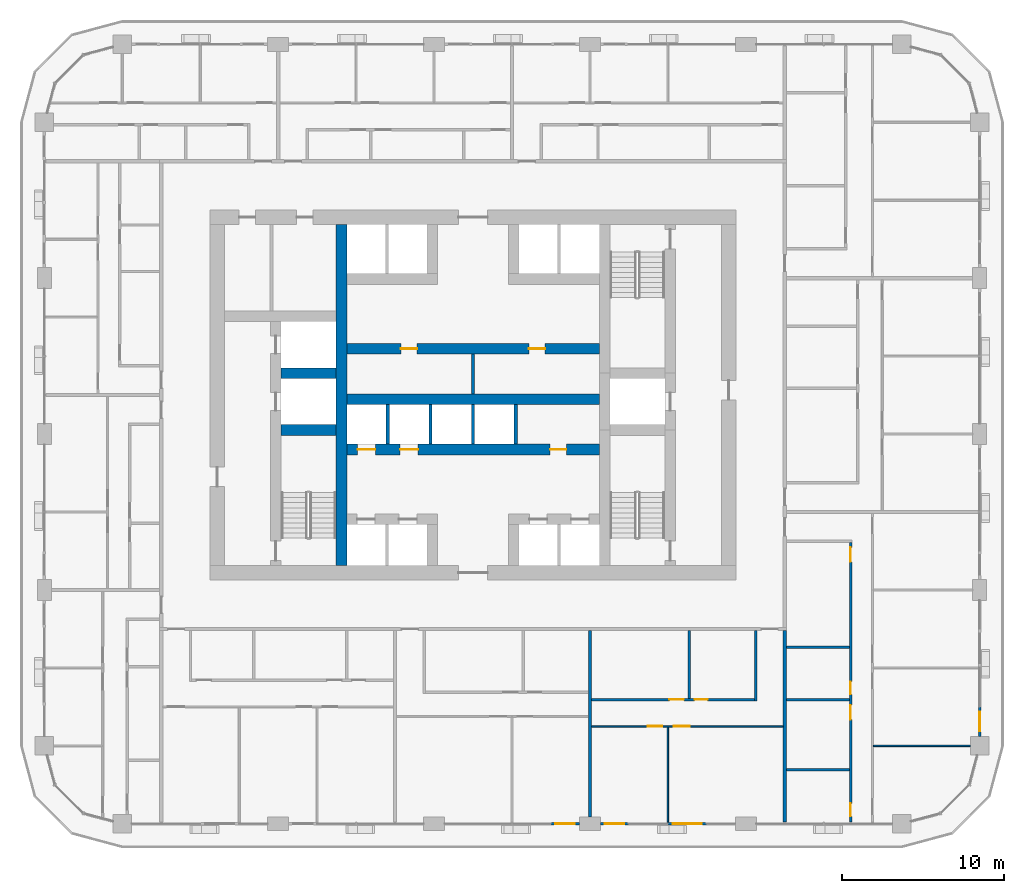
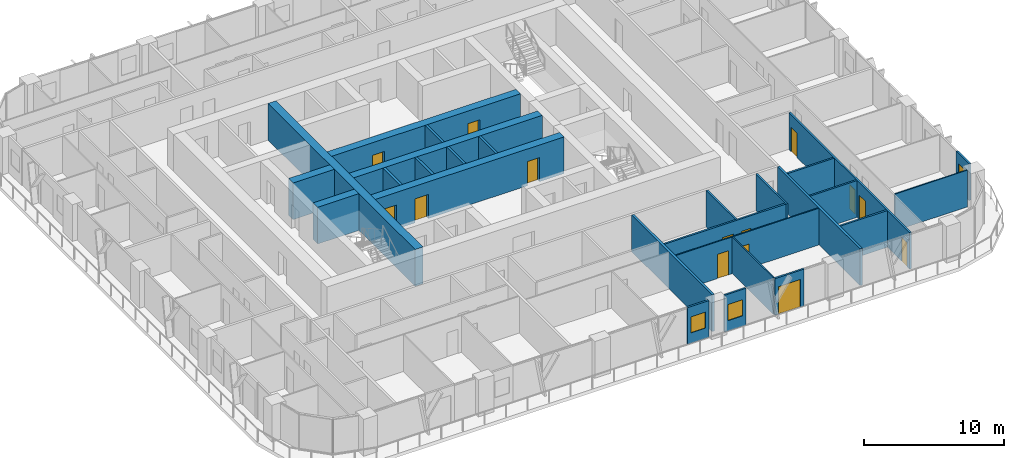
# One storey, part 11 of 22: 27 walls, 14 doors, 3 windows, 17 openings.
"""IFC4 building model written with IfcOpenShell, lengths in metres."""

from ifc_helpers import new_model, si_unit, direction, frame, frame_2d, origin, place, context, subcontext, project, spatial, rectangle, extrude, material, layer, layer_set, type_object, element, fill, save


model = new_model("IFC4")

# Units and contexts
model_context = context("Model", 3, precision=1e-05, world=origin(), true_north=direction((0.0, 1.0)))
body_context = subcontext(model_context, "Body", "Model", "MODEL_VIEW")
ifc_project = project(units=[si_unit("LENGTHUNIT", "METRE"), si_unit("AREAUNIT", "SQUARE_METRE"), si_unit("VOLUMEUNIT", "CUBIC_METRE"), si_unit("PLANEANGLEUNIT", "RADIAN"), si_unit("MASSUNIT", "GRAM", prefix="KILO")], contexts=[model_context])

# Site, building, storey
site_placement = place(None, origin())
site = spatial("IfcSite", under=ifc_project, at=site_placement, CompositionType="ELEMENT")
building_placement = place(site_placement, origin())
building = spatial("IfcBuilding", under=site, at=building_placement, Name="Madar Terraces", CompositionType="ELEMENT")
storey_placement = place(building_placement, frame((0.0, 0.0, 73.300048828125)))
storey = spatial("IfcBuildingStorey", under=building, at=storey_placement, Name="L18", CompositionType="ELEMENT", Elevation=73.300048828125)

# Walls
ifc_material_1 = material(Name="Concrete C80/95", Category="concrete")
ifc_layer_1 = layer(ifc_material_1, 0.64990234375)
ifc_layer_set_1 = layer_set([ifc_layer_1], Name="Concrete C80/95 (CIW2 RC wall 650)")
wall_type_1 = type_object("IfcWallType", Name="CIW2 RC wall 650", PredefinedType="SHEAR", material=ifc_layer_set_1)
wall_1_placement = place(storey_placement, frame((23.10009765625, 15.89990234375, 0.0), z_axis=(0.0, 0.0, 1.0), x_axis=(0.0, 1.0, 0.0)))
element("IfcWall", 1, at=wall_1_placement, inside=storey, type_object=wall_type_1, Name="CORE SHAFT WALL", PredefinedType="SHEAR", context=body_context, shape_type="SweptSolid", body=[
    extrude(rectangle(XDim=21.0, YDim=0.64990234375, at=frame_2d((10.5, 0.0))), origin(), (0.0, 0.0, 1.0), 3.199951171875),
])
for number, where, z_axis, x_axis, name in (
    (2, (19.375, 24.25, 0.0), (0.0, 0.0, 1.0), (1.0, 0.0, 0.0), "CORE SHAFT WALL"),
    (3, (19.375, 27.75, 0.0), (0.0, 0.0, 1.0), (1.0, 0.0, 0.0), "CORE SHAFT WALL"),
):
    element("IfcWall", number, at=place(storey_placement, frame(where, z_axis=z_axis, x_axis=x_axis)), inside=storey, type_object=wall_type_1, Name=name, PredefinedType="SHEAR", context=body_context, shape_type="SweptSolid", body=[
        extrude(rectangle(XDim=3.39990234375, YDim=0.64990234375, at=frame_2d((1.699951171875, 0.0))), origin(), (0.0, 0.0, 1.0), 3.199951171875),
    ])

# Wall, openings, doors
wall_2_placement = place(storey_placement, frame((23.425048828125, 23.050048828125, 0.0), z_axis=(0.0, 0.0, 1.0), x_axis=(1.0, 0.0, 0.0)))
wall_2 = element("IfcWall", 4, at=wall_2_placement, inside=storey, type_object=wall_type_1, Name="CORE SHAFT WALL", PredefinedType="SHEAR", context=body_context, shape_type="SweptSolid", body=[
    extrude(rectangle(XDim=15.550048828125, YDim=0.64990234375, at=frame_2d((7.77490234375, 0.0))), origin(), (0.0, 0.0, 1.0), 3.199951171875),
])
opening_1_placement = place(wall_2_placement, frame((0.66259765625, 0.0, 0.0)))
opening_1 = element("IfcOpeningElement", 5, at=opening_1_placement, cuts=wall_2, Name="Opening LD", PredefinedType="OPENING", context=body_context, shape_type="SweptSolid", body=[
    extrude(rectangle(XDim=1.10009765625, YDim=2.10009765625, at=frame_2d((0.550048828125, 1.050048828125))), frame((0.0, 0.3349609375, 0.0), z_axis=(0.0, -1.0, 0.0), x_axis=(1.0, 0.0, 0.0)), (0.0, 0.0, 1.0), 0.669921875),
])
opening_2_placement = place(wall_2_placement, frame((3.28759765625, 0.0, 0.0)))
opening_2 = element("IfcOpeningElement", 6, at=opening_2_placement, cuts=wall_2, Name="Opening LD", PredefinedType="OPENING", context=body_context, shape_type="SweptSolid", body=[
    extrude(rectangle(XDim=1.10009765625, YDim=2.10009765625, at=frame_2d((0.550048828125, 1.050048828125))), frame((0.0, 0.3349609375, 0.0), z_axis=(0.0, -1.0, 0.0), x_axis=(1.0, 0.0, 0.0)), (0.0, 0.0, 1.0), 0.669921875),
])
opening_3_placement = place(wall_2_placement, frame((12.52490234375, 0.0, 0.0)))
opening_3 = element("IfcOpeningElement", 7, at=opening_3_placement, cuts=wall_2, Name="Opening KD2", PredefinedType="OPENING", context=body_context, shape_type="SweptSolid", body=[
    extrude(rectangle(XDim=1.0, YDim=2.10009765625, at=frame_2d((0.5, 1.050048828125))), frame((0.0, 0.3349609375, 0.0), z_axis=(0.0, -1.0, 0.0), x_axis=(1.0, 0.0, 0.0)), (0.0, 0.0, 1.0), 0.669921875),
])
ifc_material_2 = material(Name="Stainless steel panel", Category="steel")
door_type_1 = type_object("IfcDoorType", Name="Lift landing door 1100 x 2100", OperationType="DOUBLE_DOOR_SLIDING", PredefinedType="DOOR", material=ifc_material_2)
door_1_placement = place(opening_1_placement, origin())
door_1 = element("IfcDoor", 8, at=door_1_placement, inside=storey, type_object=door_type_1, Name="LIFT LANDING DOOR", OperationType="DOUBLE_DOOR_SLIDING", OverallHeight=2.10009765625, OverallWidth=1.10009765625, PredefinedType="DOOR", context=body_context, shape_type="SweptSolid", body=[
    extrude(rectangle(XDim=1.10009765625, YDim=2.10009765625, at=frame_2d((0.550048828125, 1.050048828125))), frame((0.0, 0.02490234375, 0.0), z_axis=(0.0, -1.0, 0.0), x_axis=(1.0, 0.0, 0.0)), (0.0, 0.0, 1.0), 0.050048828125),
])
fill(opening_1, door_1)
door_2_placement = place(opening_2_placement, origin())
door_2 = element("IfcDoor", 9, at=door_2_placement, inside=storey, type_object=door_type_1, Name="LIFT LANDING DOOR", OperationType="DOUBLE_DOOR_SLIDING", OverallHeight=2.10009765625, OverallWidth=1.10009765625, PredefinedType="DOOR", context=body_context, shape_type="SweptSolid", body=[
    extrude(rectangle(XDim=1.10009765625, YDim=2.10009765625, at=frame_2d((0.550048828125, 1.050048828125))), frame((0.0, 0.02490234375, 0.0), z_axis=(0.0, -1.0, 0.0), x_axis=(1.0, 0.0, 0.0)), (0.0, 0.0, 1.0), 0.050048828125),
])
fill(opening_2, door_2)
ifc_material_3 = material(Name="Steel door leaf", Category="steel")
door_type_2 = type_object("IfcDoorType", Name="Service room door 1000 x 2100", OperationType="NOTDEFINED", PredefinedType="DOOR", material=ifc_material_3)
door_3_placement = place(opening_3_placement, frame((1.0, 0.0, 0.0), z_axis=(0.0, 0.0, 1.0), x_axis=(-1.0, 0.0, 0.0)))
door_3 = element("IfcDoor", 10, at=door_3_placement, inside=storey, type_object=door_type_2, Name="SERVICE ROOM DOOR", OperationType="SINGLE_SWING_LEFT", OverallHeight=2.10009765625, OverallWidth=1.0, PredefinedType="DOOR", context=body_context, shape_type="SweptSolid", body=[
    extrude(rectangle(XDim=1.0, YDim=2.10009765625, at=frame_2d((0.5, 1.050048828125))), frame((0.0, 0.02490234375, 0.0), z_axis=(0.0, -1.0, 0.0), x_axis=(1.0, 0.0, 0.0)), (0.0, 0.0, 1.0), 0.050048828125),
])
fill(opening_3, door_3)

# Wall
wall_3_placement = place(storey_placement, frame((23.425048828125, 26.14990234375, 0.0), z_axis=(0.0, 0.0, 1.0), x_axis=(1.0, 0.0, 0.0)))
element("IfcWall", 11, at=wall_3_placement, inside=storey, type_object=wall_type_1, Name="CORE SHAFT WALL", PredefinedType="SHEAR", context=body_context, shape_type="SweptSolid", body=[
    extrude(rectangle(XDim=15.550048828125, YDim=0.64990234375, at=frame_2d((7.77490234375, 0.0))), origin(), (0.0, 0.0, 1.0), 3.199951171875),
])

# Wall, openings, doors
wall_4_placement = place(storey_placement, frame((23.425048828125, 29.25, 0.0), z_axis=(0.0, 0.0, 1.0), x_axis=(1.0, 0.0, 0.0)))
wall_4 = element("IfcWall", 12, at=wall_4_placement, inside=storey, type_object=wall_type_1, Name="CORE SHAFT WALL", PredefinedType="SHEAR", context=body_context, shape_type="SweptSolid", body=[
    extrude(rectangle(XDim=15.550048828125, YDim=0.64990234375, at=frame_2d((7.77490234375, 0.0))), origin(), (0.0, 0.0, 1.0), 3.199951171875),
])
opening_4_placement = place(wall_4_placement, frame((3.33740234375, 0.0, 0.0)))
opening_4 = element("IfcOpeningElement", 13, at=opening_4_placement, cuts=wall_4, Name="Opening KD2", PredefinedType="OPENING", context=body_context, shape_type="SweptSolid", body=[
    extrude(rectangle(XDim=1.0, YDim=2.10009765625, at=frame_2d((0.5, 1.050048828125))), frame((0.0, 0.3349609375, 0.0), z_axis=(0.0, -1.0, 0.0), x_axis=(1.0, 0.0, 0.0)), (0.0, 0.0, 1.0), 0.669921875),
])
opening_5_placement = place(wall_4_placement, frame((11.21240234375, 0.0, 0.0)))
opening_5 = element("IfcOpeningElement", 14, at=opening_5_placement, cuts=wall_4, Name="Opening KD2", PredefinedType="OPENING", context=body_context, shape_type="SweptSolid", body=[
    extrude(rectangle(XDim=1.0, YDim=2.10009765625, at=frame_2d((0.5, 1.050048828125))), frame((0.0, 0.3349609375, 0.0), z_axis=(0.0, -1.0, 0.0), x_axis=(1.0, 0.0, 0.0)), (0.0, 0.0, 1.0), 0.669921875),
])
door_4_placement = place(opening_4_placement, origin())
door_4 = element("IfcDoor", 15, at=door_4_placement, inside=storey, type_object=door_type_2, Name="SERVICE ROOM DOOR", OperationType="SINGLE_SWING_RIGHT", OverallHeight=2.10009765625, OverallWidth=1.0, PredefinedType="DOOR", context=body_context, shape_type="SweptSolid", body=[
    extrude(rectangle(XDim=1.0, YDim=2.10009765625, at=frame_2d((0.5, 1.050048828125))), frame((0.0, 0.02490234375, 0.0), z_axis=(0.0, -1.0, 0.0), x_axis=(1.0, 0.0, 0.0)), (0.0, 0.0, 1.0), 0.050048828125),
])
fill(opening_4, door_4)
door_5_placement = place(opening_5_placement, origin())
door_5 = element("IfcDoor", 16, at=door_5_placement, inside=storey, type_object=door_type_2, Name="SERVICE ROOM DOOR", OperationType="SINGLE_SWING_LEFT", OverallHeight=2.10009765625, OverallWidth=1.0, PredefinedType="DOOR", context=body_context, shape_type="SweptSolid", body=[
    extrude(rectangle(XDim=1.0, YDim=2.10009765625, at=frame_2d((0.5, 1.050048828125))), frame((0.0, 0.02490234375, 0.0), z_axis=(0.0, -1.0, 0.0), x_axis=(1.0, 0.0, 0.0)), (0.0, 0.0, 1.0), 0.050048828125),
])
fill(opening_5, door_5)

# Walls
ifc_material_4 = material(Name="Masonry blockwork", Category="masonry")
ifc_layer_2 = layer(ifc_material_4, 0.199951171875)
ifc_layer_set_2 = layer_set([ifc_layer_2], Name="Core partition 200 blockwork")
wall_type_2 = type_object("IfcWallType", Name="Core partition 200 blockwork", PredefinedType="PARTITIONING", material=ifc_layer_set_2)
wall_5_placement = place(storey_placement, frame((31.199951171875, 26.47509765625, 0.0), z_axis=(0.0, 0.0, 1.0), x_axis=(0.0, 1.0, 0.0)))
element("IfcWall", 17, at=wall_5_placement, inside=storey, type_object=wall_type_2, Name="SERVICE ROOM PARTITION", PredefinedType="PARTITIONING", context=body_context, shape_type="SweptSolid", body=[
    extrude(rectangle(XDim=2.449951171875, YDim=0.199951171875, at=frame_2d((1.22509765625, 0.0))), origin(), (0.0, 0.0, 1.0), 3.199951171875),
])
ifc_material_5 = material(Name="Concrete C40/50", Category="concrete")
ifc_layer_3 = layer(ifc_material_5, 0.199951171875)
ifc_layer_set_3 = layer_set([ifc_layer_3], Name="Core shaft dividing wall 200 C40/50")
wall_type_3 = type_object("IfcWallType", Name="Core shaft dividing wall 200 C40/50", PredefinedType="SOLIDWALL", material=ifc_layer_set_3)
for number, where, z_axis, x_axis, name in (
    (18, (25.949951171875, 23.375, 0.0), (0.0, 0.0, 1.0), (0.0, 1.0, 0.0), "SHAFT DIVIDING WALL"),
    (19, (28.574951171875, 23.375, 0.0), (0.0, 0.0, 1.0), (0.0, 1.0, 0.0), "SHAFT DIVIDING WALL"),
    (20, (31.199951171875, 23.375, 0.0), (0.0, 0.0, 1.0), (0.0, 1.0, 0.0), "SHAFT DIVIDING WALL"),
    (21, (33.824951171875, 23.375, 0.0), (0.0, 0.0, 1.0), (0.0, 1.0, 0.0), "SHAFT DIVIDING WALL"),
):
    element("IfcWall", number, at=place(storey_placement, frame(where, z_axis=z_axis, x_axis=x_axis)), inside=storey, type_object=wall_type_3, Name=name, PredefinedType="SOLIDWALL", context=body_context, shape_type="SweptSolid", body=[
        extrude(rectangle(XDim=2.449951171875, YDim=0.199951171875, at=frame_2d((1.22509765625, 0.0))), origin(), (0.0, 0.0, 1.0), 3.199951171875),
    ])

# Wall, opening, window
ifc_material_6 = material(Name="Aluminium composite panel, black, over insulated backing", Category="aluminium")
ifc_layer_4 = layer(ifc_material_6, 0.14990234375)
ifc_layer_set_4 = layer_set([ifc_layer_4], Name="Facade bay panel 150")
wall_type_4 = type_object("IfcWallType", Name="Facade bay panel 150", PredefinedType="SOLIDWALL", material=ifc_layer_set_4)
wall_6_placement = place(storey_placement, frame((36.0, 0.0, 0.0), z_axis=(0.0, 0.0, 1.0), x_axis=(1.0, 0.0, 0.0)))
wall_6 = element("IfcWall", 22, at=wall_6_placement, inside=storey, type_object=wall_type_4, Name="Facade bay panel", PredefinedType="SOLIDWALL", context=body_context, shape_type="SweptSolid", body=[
    extrude(rectangle(XDim=1.75, YDim=0.14990234375, at=frame_2d((0.875, 0.0))), origin(), (0.0, 0.0, 1.0), 3.199951171875),
])
opening_6_placement = place(wall_6_placement, frame((0.27490234375, 0.0, 0.89990234375)))
opening_6 = element("IfcOpeningElement", 23, at=opening_6_placement, cuts=wall_6, Name="Opening W1", PredefinedType="OPENING", context=body_context, shape_type="SweptSolid", body=[
    extrude(rectangle(XDim=1.199951171875, YDim=1.39990234375, at=frame_2d((0.60009765625, 0.699951171875))), frame((0.0, 0.0849609375, 0.0), z_axis=(0.0, -1.0, 0.0), x_axis=(1.0, 0.0, 0.0)), (0.0, 0.0, 1.0), 0.169921875),
])
ifc_material_7 = material(Name="Glass, clear, with black aluminium frame", Category="aluminium")
window_type = type_object("IfcWindowType", Name="Vent window 1200 x 1400", PartitioningType="SINGLE_PANEL", PredefinedType="WINDOW", material=ifc_material_7)
window_1_placement = place(opening_6_placement, origin())
window_1 = element("IfcWindow", 24, at=window_1_placement, inside=storey, type_object=window_type, Name="Operable vent window", OverallHeight=1.39990234375, OverallWidth=1.199951171875, PartitioningType="SINGLE_PANEL", PredefinedType="WINDOW", context=body_context, shape_type="SweptSolid", body=[
    extrude(rectangle(XDim=1.199951171875, YDim=1.39990234375, at=frame_2d((0.60009765625, 0.699951171875))), frame((0.0, 0.030029296875, 0.0), z_axis=(0.0, -1.0, 0.0), x_axis=(1.0, 0.0, 0.0)), (0.0, 0.0, 1.0), 0.06005859375),
])
fill(opening_6, window_1)

wall_7_placement = place(storey_placement, frame((39.050048828125, 0.0, 0.0), z_axis=(0.0, 0.0, 1.0), x_axis=(1.0, 0.0, 0.0)))
wall_7 = element("IfcWall", 25, at=wall_7_placement, inside=storey, type_object=wall_type_4, Name="Facade bay panel", PredefinedType="SOLIDWALL", context=body_context, shape_type="SweptSolid", body=[
    extrude(rectangle(XDim=1.75, YDim=0.14990234375, at=frame_2d((0.875, 0.0))), origin(), (0.0, 0.0, 1.0), 3.199951171875),
])
opening_7_placement = place(wall_7_placement, frame((0.27490234375, 0.0, 0.89990234375)))
opening_7 = element("IfcOpeningElement", 26, at=opening_7_placement, cuts=wall_7, Name="Opening W1", PredefinedType="OPENING", context=body_context, shape_type="SweptSolid", body=[
    extrude(rectangle(XDim=1.199951171875, YDim=1.39990234375, at=frame_2d((0.60009765625, 0.699951171875))), frame((0.0, 0.0849609375, 0.0), z_axis=(0.0, -1.0, 0.0), x_axis=(1.0, 0.0, 0.0)), (0.0, 0.0, 1.0), 0.169921875),
])
window_2_placement = place(opening_7_placement, origin())
window_2 = element("IfcWindow", 27, at=window_2_placement, inside=storey, type_object=window_type, Name="Operable vent window", OverallHeight=1.39990234375, OverallWidth=1.199951171875, PartitioningType="SINGLE_PANEL", PredefinedType="WINDOW", context=body_context, shape_type="SweptSolid", body=[
    extrude(rectangle(XDim=1.199951171875, YDim=1.39990234375, at=frame_2d((0.60009765625, 0.699951171875))), frame((0.0, 0.030029296875, 0.0), z_axis=(0.0, -1.0, 0.0), x_axis=(1.0, 0.0, 0.0)), (0.0, 0.0, 1.0), 0.06005859375),
])
fill(opening_7, window_2)

# Wall, opening, door
wall_8_placement = place(storey_placement, frame((43.199951171875, 0.0, 0.0), z_axis=(0.0, 0.0, 1.0), x_axis=(1.0, 0.0, 0.0)))
wall_8 = element("IfcWall", 28, at=wall_8_placement, inside=storey, type_object=wall_type_4, Name="Facade bay panel", PredefinedType="SOLIDWALL", context=body_context, shape_type="SweptSolid", body=[
    extrude(rectangle(XDim=2.400146484375, YDim=0.14990234375, at=frame_2d((1.2001953125, 0.0))), origin(), (0.0, 0.0, 1.0), 3.199951171875),
])
opening_8_placement = place(wall_8_placement, frame((0.300048828125, 0.0, 0.0)))
opening_8 = element("IfcOpeningElement", 29, at=opening_8_placement, cuts=wall_8, Name="Opening ED1", PredefinedType="OPENING", context=body_context, shape_type="SweptSolid", body=[
    extrude(rectangle(XDim=1.800048828125, YDim=2.39990234375, at=frame_2d((0.89990234375, 1.199951171875))), frame((0.0, 0.0849609375, 0.0), z_axis=(0.0, -1.0, 0.0), x_axis=(1.0, 0.0, 0.0)), (0.0, 0.0, 1.0), 0.169921875),
])
ifc_material_8 = material(Name="Glass, clear, with black aluminium frame", Category="aluminium")
door_type_3 = type_object("IfcDoorType", Name="Balcony and terrace sliding door 1800 x 2400", OperationType="SLIDING_TO_LEFT", PredefinedType="DOOR", material=ifc_material_8)
door_6_placement = place(opening_8_placement, origin())
door_6 = element("IfcDoor", 30, at=door_6_placement, inside=storey, type_object=door_type_3, Name="Balcony door", OperationType="SLIDING_TO_RIGHT", OverallHeight=2.39990234375, OverallWidth=1.800048828125, PredefinedType="DOOR", context=body_context, shape_type="SweptSolid", body=[
    extrude(rectangle(XDim=1.800048828125, YDim=2.39990234375, at=frame_2d((0.89990234375, 1.199951171875))), frame((0.0, 0.02490234375, 0.0), z_axis=(0.0, -1.0, 0.0), x_axis=(1.0, 0.0, 0.0)), (0.0, 0.0, 1.0), 0.050048828125),
])
fill(opening_8, door_6)

# Wall, opening, window
wall_9_placement = place(storey_placement, frame((62.39990234375, 5.375, 0.0), z_axis=(0.0, 0.0, 1.0), x_axis=(0.0, 1.0, 0.0)))
wall_9 = element("IfcWall", 31, at=wall_9_placement, inside=storey, type_object=wall_type_4, Name="Facade bay panel", PredefinedType="SOLIDWALL", context=body_context, shape_type="SweptSolid", body=[
    extrude(rectangle(XDim=1.824951171875, YDim=0.14990234375, at=frame_2d((0.91259765625, 0.0))), origin(), (0.0, 0.0, 1.0), 3.199951171875),
])
opening_9_placement = place(wall_9_placement, frame((0.3125, 0.0, 0.89990234375)))
opening_9 = element("IfcOpeningElement", 32, at=opening_9_placement, cuts=wall_9, Name="Opening W1", PredefinedType="OPENING", context=body_context, shape_type="SweptSolid", body=[
    extrude(rectangle(XDim=1.199951171875, YDim=1.39990234375, at=frame_2d((0.60009765625, 0.699951171875))), frame((0.0, 0.0849609375, 0.0), z_axis=(0.0, -1.0, 0.0), x_axis=(1.0, 0.0, 0.0)), (0.0, 0.0, 1.0), 0.169921875),
])
window_3_placement = place(opening_9_placement, origin())
window_3 = element("IfcWindow", 33, at=window_3_placement, inside=storey, type_object=window_type, Name="Operable vent window", OverallHeight=1.39990234375, OverallWidth=1.199951171875, PartitioningType="SINGLE_PANEL", PredefinedType="WINDOW", context=body_context, shape_type="SweptSolid", body=[
    extrude(rectangle(XDim=1.199951171875, YDim=1.39990234375, at=frame_2d((0.60009765625, 0.699951171875))), frame((0.0, 0.030029296875, 0.0), z_axis=(0.0, -1.0, 0.0), x_axis=(1.0, 0.0, 0.0)), (0.0, 0.0, 1.0), 0.06005859375),
])
fill(opening_9, window_3)

# Wall
ifc_material_9 = material(Name="Gypsum board on steel studs", Category="steel")
ifc_layer_5 = layer(ifc_material_9, 0.10009765625)
ifc_layer_set_5 = layer_set([ifc_layer_5], Name="Flat partition 100")
wall_type_5 = type_object("IfcWallType", Name="Flat partition 100", PredefinedType="PARTITIONING", material=ifc_layer_set_5)
wall_10_placement = place(storey_placement, frame((43.199951171875, 5.949951171875, 0.0), z_axis=(0.0, 0.0, 1.0), x_axis=(0.0, -1.0, 0.0)))
element("IfcWall", 34, at=wall_10_placement, inside=storey, type_object=wall_type_5, Name="Flat partition 100", PredefinedType="PARTITIONING", context=body_context, shape_type="SweptSolid", body=[
    extrude(rectangle(XDim=5.849853515625, YDim=0.10009765625, at=frame_2d((2.9248046875, 0.0))), origin(), (0.0, 0.0, 1.0), 3.199951171875),
])

# Wall, openings, doors
wall_11_placement = place(storey_placement, frame((50.300048828125, 6.0, 0.0), z_axis=(0.0, 0.0, 1.0), x_axis=(-1.0, 0.0, 0.0)))
wall_11 = element("IfcWall", 35, at=wall_11_placement, inside=storey, type_object=wall_type_5, Name="Flat partition 100", PredefinedType="PARTITIONING", context=body_context, shape_type="SweptSolid", body=[
    extrude(rectangle(XDim=11.800048828125, YDim=0.10009765625, at=frame_2d((5.89990234375, 0.0))), origin(), (0.0, 0.0, 1.0), 3.199951171875),
])
opening_10_placement = place(wall_11_placement, frame((5.75, 0.0, 0.0)))
opening_10 = element("IfcOpeningElement", 36, at=opening_10_placement, cuts=wall_11, Name="Opening D3", PredefinedType="OPENING", context=body_context, shape_type="SweptSolid", body=[
    extrude(rectangle(XDim=1.0, YDim=2.10009765625, at=frame_2d((0.5, 1.050048828125))), frame((0.0, 0.06005859375, 0.0), z_axis=(0.0, -1.0, 0.0), x_axis=(1.0, 0.0, 0.0)), (0.0, 0.0, 1.0), 0.1201171875),
])
opening_11_placement = place(wall_11_placement, frame((7.449951171875, 0.0, 0.0)))
opening_11 = element("IfcOpeningElement", 37, at=opening_11_placement, cuts=wall_11, Name="Opening D2", PredefinedType="OPENING", context=body_context, shape_type="SweptSolid", body=[
    extrude(rectangle(XDim=0.89990234375, YDim=2.10009765625, at=frame_2d((0.449951171875, 1.050048828125))), frame((0.0, 0.06005859375, 0.0), z_axis=(0.0, -1.0, 0.0), x_axis=(1.0, 0.0, 0.0)), (0.0, 0.0, 1.0), 0.1201171875),
])
ifc_material_10 = material(Name="Timber door leaf", Category="wood")
door_type_4 = type_object("IfcDoorType", Name="Flat living room door 1000", OperationType="NOTDEFINED", PredefinedType="DOOR", material=ifc_material_10)
door_7_placement = place(opening_10_placement, origin())
door_7 = element("IfcDoor", 38, at=door_7_placement, inside=storey, type_object=door_type_4, Name="Flat living room door 1000", OperationType="SINGLE_SWING_RIGHT", OverallHeight=2.10009765625, OverallWidth=1.0, PredefinedType="DOOR", context=body_context, shape_type="SweptSolid", body=[
    extrude(rectangle(XDim=1.0, YDim=2.10009765625, at=frame_2d((0.5, 1.050048828125))), frame((0.0, 0.02490234375, 0.0), z_axis=(0.0, -1.0, 0.0), x_axis=(1.0, 0.0, 0.0)), (0.0, 0.0, 1.0), 0.050048828125),
])
fill(opening_10, door_7)
ifc_material_11 = material(Name="Timber door leaf", Category="wood")
door_type_5 = type_object("IfcDoorType", Name="Flat room door 900", OperationType="NOTDEFINED", PredefinedType="DOOR", material=ifc_material_11)
door_8_placement = place(opening_11_placement, origin())
door_8 = element("IfcDoor", 39, at=door_8_placement, inside=storey, type_object=door_type_5, Name="Flat room door 900", OperationType="SINGLE_SWING_LEFT", OverallHeight=2.10009765625, OverallWidth=0.89990234375, PredefinedType="DOOR", context=body_context, shape_type="SweptSolid", body=[
    extrude(rectangle(XDim=0.89990234375, YDim=2.10009765625, at=frame_2d((0.449951171875, 1.050048828125))), frame((0.0, 0.02490234375, 0.0), z_axis=(0.0, -1.0, 0.0), x_axis=(1.0, 0.0, 0.0)), (0.0, 0.0, 1.0), 0.050048828125),
])
fill(opening_11, door_8)

# Walls
wall_12_placement = place(storey_placement, frame((55.85009765625, 4.800048828125, 0.0), z_axis=(0.0, 0.0, 1.0), x_axis=(1.0, 0.0, 0.0)))
element("IfcWall", 40, at=wall_12_placement, inside=storey, type_object=wall_type_5, Name="Flat partition 100", PredefinedType="PARTITIONING", context=body_context, shape_type="SweptSolid", body=[
    extrude(rectangle(XDim=5.974853515625, YDim=0.10009765625, at=frame_2d((2.9873046875, 0.0))), origin(), (0.0, 0.0, 1.0), 3.199951171875),
])
ifc_material_12 = material(Name="Lightweight blockwork", Category="masonry")
ifc_layer_6 = layer(ifc_material_12, 0.199951171875)
ifc_layer_set_6 = layer_set([ifc_layer_6], Name="Flat party and entrance wall 200")
wall_type_6 = type_object("IfcWallType", Name="Flat party and entrance wall 200", PredefinedType="PARTITIONING", material=ifc_layer_set_6)
wall_13_placement = place(storey_placement, frame((38.39990234375, 11.89990234375, 0.0), z_axis=(0.0, 0.0, 1.0), x_axis=(0.0, -1.0, 0.0)))
element("IfcWall", 41, at=wall_13_placement, inside=storey, type_object=wall_type_6, Name="Flat party and entrance wall 200", PredefinedType="PARTITIONING", context=body_context, shape_type="SweptSolid", body=[
    extrude(rectangle(XDim=11.474853515625, YDim=0.199951171875, at=frame_2d((5.7373046875, 0.0))), origin(), (0.0, 0.0, 1.0), 3.199951171875),
])
wall_14_placement = place(storey_placement, frame((50.39990234375, 11.89990234375, 0.0), z_axis=(0.0, 0.0, 1.0), x_axis=(0.0, -1.0, 0.0)))
element("IfcWall", 42, at=wall_14_placement, inside=storey, type_object=wall_type_6, Name="Flat party and entrance wall 200", PredefinedType="PARTITIONING", context=body_context, shape_type="SweptSolid", body=[
    extrude(rectangle(XDim=11.7998046875, YDim=0.199951171875, at=frame_2d((5.89990234375, 0.0))), origin(), (0.0, 0.0, 1.0), 3.199951171875),
])
ifc_material_13 = material(Name="Lightweight blockwork", Category="masonry")
ifc_layer_7 = layer(ifc_material_13, 0.14990234375)
ifc_layer_set_7 = layer_set([ifc_layer_7], Name="Flat wet-room partition 150")
wall_type_7 = type_object("IfcWallType", Name="Flat wet-room partition 150", PredefinedType="PARTITIONING", material=ifc_layer_set_7)
wall_15_placement = place(storey_placement, frame((44.514892578125, 11.89990234375, 0.0), z_axis=(0.0, 0.0, 1.0), x_axis=(0.0, -1.0, 0.0)))
element("IfcWall", 43, at=wall_15_placement, inside=storey, type_object=wall_type_7, Name="Flat wet-room partition 150", PredefinedType="PARTITIONING", context=body_context, shape_type="SweptSolid", body=[
    extrude(rectangle(XDim=4.1748046875, YDim=0.14990234375, at=frame_2d((2.08740234375, 0.0))), origin(), (0.0, 0.0, 1.0), 3.199951171875),
])
wall_16_placement = place(storey_placement, frame((48.60009765625, 11.89990234375, 0.0), z_axis=(0.0, 0.0, 1.0), x_axis=(0.0, -1.0, 0.0)))
element("IfcWall", 44, at=wall_16_placement, inside=storey, type_object=wall_type_7, Name="Flat wet-room partition 150", PredefinedType="PARTITIONING", context=body_context, shape_type="SweptSolid", body=[
    extrude(rectangle(XDim=4.324951171875, YDim=0.14990234375, at=frame_2d((2.16259765625, 0.0))), origin(), (0.0, 0.0, 1.0), 3.199951171875),
])

# Wall, openings, doors
wall_17_placement = place(storey_placement, frame((38.5, 7.64990234375, 0.0), z_axis=(0.0, 0.0, 1.0), x_axis=(1.0, 0.0, 0.0)))
wall_17 = element("IfcWall", 45, at=wall_17_placement, inside=storey, type_object=wall_type_7, Name="Flat wet-room partition 150", PredefinedType="PARTITIONING", context=body_context, shape_type="SweptSolid", body=[
    extrude(rectangle(XDim=10.02490234375, YDim=0.14990234375, at=frame_2d((5.012451171875, 0.0))), origin(), (0.0, 0.0, 1.0), 3.199951171875),
])
opening_12_placement = place(wall_17_placement, frame((6.340087890625, 0.0, 0.0)))
opening_12 = element("IfcOpeningElement", 46, at=opening_12_placement, cuts=wall_17, Name="Opening D4", PredefinedType="OPENING", context=body_context, shape_type="SweptSolid", body=[
    extrude(rectangle(XDim=0.800048828125, YDim=2.10009765625, at=frame_2d((0.39990234375, 1.050048828125))), frame((0.0, 0.0849609375, 0.0), z_axis=(0.0, -1.0, 0.0), x_axis=(1.0, 0.0, 0.0)), (0.0, 0.0, 1.0), 0.169921875),
])
opening_13_placement = place(wall_17_placement, frame((4.7900390625, 0.0, 0.0)))
opening_13 = element("IfcOpeningElement", 47, at=opening_13_placement, cuts=wall_17, Name="Opening D2", PredefinedType="OPENING", context=body_context, shape_type="SweptSolid", body=[
    extrude(rectangle(XDim=0.89990234375, YDim=2.10009765625, at=frame_2d((0.449951171875, 1.050048828125))), frame((0.0, 0.0849609375, 0.0), z_axis=(0.0, -1.0, 0.0), x_axis=(1.0, 0.0, 0.0)), (0.0, 0.0, 1.0), 0.169921875),
])
ifc_material_14 = material(Name="Timber door leaf", Category="wood")
door_type_6 = type_object("IfcDoorType", Name="Flat bathroom door 800", OperationType="NOTDEFINED", PredefinedType="DOOR", material=ifc_material_14)
door_9_placement = place(opening_12_placement, origin())
door_9 = element("IfcDoor", 48, at=door_9_placement, inside=storey, type_object=door_type_6, Name="Flat bathroom door 800", OperationType="SINGLE_SWING_LEFT", OverallHeight=2.10009765625, OverallWidth=0.800048828125, PredefinedType="DOOR", context=body_context, shape_type="SweptSolid", body=[
    extrude(rectangle(XDim=0.800048828125, YDim=2.10009765625, at=frame_2d((0.39990234375, 1.050048828125))), frame((0.0, 0.02490234375, 0.0), z_axis=(0.0, -1.0, 0.0), x_axis=(1.0, 0.0, 0.0)), (0.0, 0.0, 1.0), 0.050048828125),
])
fill(opening_12, door_9)
door_10_placement = place(opening_13_placement, origin())
door_10 = element("IfcDoor", 49, at=door_10_placement, inside=storey, type_object=door_type_5, Name="Flat room door 900", OperationType="SINGLE_SWING_RIGHT", OverallHeight=2.10009765625, OverallWidth=0.89990234375, PredefinedType="DOOR", context=body_context, shape_type="SweptSolid", body=[
    extrude(rectangle(XDim=0.89990234375, YDim=2.10009765625, at=frame_2d((0.449951171875, 1.050048828125))), frame((0.0, 0.02490234375, 0.0), z_axis=(0.0, -1.0, 0.0), x_axis=(1.0, 0.0, 0.0)), (0.0, 0.0, 1.0), 0.050048828125),
])
fill(opening_13, door_10)

# Walls
for number, where, z_axis, x_axis, name in (
    (50, (50.5, 10.865478515625, 0.0), (0.0, 0.0, 1.0), (1.0, 0.0, 0.0), "Flat wet-room partition 150"),
    (51, (50.5, 7.635986328125, 0.0), (0.0, 0.0, 1.0), (1.0, 0.0, 0.0), "Flat wet-room partition 150"),
    (52, (50.5, 3.32958984375, 0.0), (0.0, 0.0, 1.0), (1.0, 0.0, 0.0), "Flat wet-room partition 150"),
):
    element("IfcWall", number, at=place(storey_placement, frame(where, z_axis=z_axis, x_axis=x_axis)), inside=storey, type_object=wall_type_7, Name=name, PredefinedType="PARTITIONING", context=body_context, shape_type="SweptSolid", body=[
        extrude(rectangle(XDim=3.875, YDim=0.14990234375, at=frame_2d((1.9375, 0.0))), origin(), (0.0, 0.0, 1.0), 3.199951171875),
    ])

# Wall, openings, doors
wall_18_placement = place(storey_placement, frame((54.449951171875, 0.10009765625, 0.0), z_axis=(0.0, 0.0, 1.0), x_axis=(0.0, 1.0, 0.0)))
wall_18 = element("IfcWall", 53, at=wall_18_placement, inside=storey, type_object=wall_type_7, Name="Flat wet-room partition 150", PredefinedType="PARTITIONING", context=body_context, shape_type="SweptSolid", body=[
    extrude(rectangle(XDim=17.224853515625, YDim=0.14990234375, at=frame_2d((8.6123046875, 0.0))), origin(), (0.0, 0.0, 1.0), 3.199951171875),
])
opening_14_placement = place(wall_18_placement, frame((16.02490234375, 0.0, 0.0)))
opening_14 = element("IfcOpeningElement", 54, at=opening_14_placement, cuts=wall_18, Name="Opening D2", PredefinedType="OPENING", context=body_context, shape_type="SweptSolid", body=[
    extrude(rectangle(XDim=0.89990234375, YDim=2.10009765625, at=frame_2d((0.449951171875, 1.050048828125))), frame((0.0, 0.0849609375, 0.0), z_axis=(0.0, -1.0, 0.0), x_axis=(1.0, 0.0, 0.0)), (0.0, 0.0, 1.0), 0.169921875),
])
opening_15_placement = place(wall_18_placement, frame((7.86083984375, 0.0, 0.0)))
opening_15 = element("IfcOpeningElement", 55, at=opening_15_placement, cuts=wall_18, Name="Opening D7", PredefinedType="OPENING", context=body_context, shape_type="SweptSolid", body=[
    extrude(rectangle(XDim=0.800048828125, YDim=2.10009765625, at=frame_2d((0.39990234375, 1.050048828125))), frame((0.0, 0.0849609375, 0.0), z_axis=(0.0, -1.0, 0.0), x_axis=(1.0, 0.0, 0.0)), (0.0, 0.0, 1.0), 0.169921875),
])
opening_16_placement = place(wall_18_placement, frame((6.310791015625, 0.0, 0.0)))
opening_16 = element("IfcOpeningElement", 56, at=opening_16_placement, cuts=wall_18, Name="Opening D5", PredefinedType="OPENING", context=body_context, shape_type="SweptSolid", body=[
    extrude(rectangle(XDim=0.89990234375, YDim=2.10009765625, at=frame_2d((0.449951171875, 1.050048828125))), frame((0.0, 0.0849609375, 0.0), z_axis=(0.0, -1.0, 0.0), x_axis=(1.0, 0.0, 0.0)), (0.0, 0.0, 1.0), 0.169921875),
])
opening_17_placement = place(wall_18_placement, frame((0.35009765625, 0.0, 0.0)))
opening_17 = element("IfcOpeningElement", 57, at=opening_17_placement, cuts=wall_18, Name="Opening D4", PredefinedType="OPENING", context=body_context, shape_type="SweptSolid", body=[
    extrude(rectangle(XDim=0.800048828125, YDim=2.10009765625, at=frame_2d((0.39990234375, 1.050048828125))), frame((0.0, 0.0849609375, 0.0), z_axis=(0.0, -1.0, 0.0), x_axis=(1.0, 0.0, 0.0)), (0.0, 0.0, 1.0), 0.169921875),
])
ifc_material_15 = material(Name="Timber door leaf", Category="wood")
door_type_7 = type_object("IfcDoorType", Name="Flat accessible bathroom door 900", OperationType="NOTDEFINED", PredefinedType="DOOR", material=ifc_material_15)
door_11_placement = place(opening_16_placement, origin())
door_11 = element("IfcDoor", 58, at=door_11_placement, inside=storey, type_object=door_type_7, Name="Flat accessible bathroom door 900", OperationType="SINGLE_SWING_RIGHT", OverallHeight=2.10009765625, OverallWidth=0.89990234375, PredefinedType="DOOR", context=body_context, shape_type="SweptSolid", body=[
    extrude(rectangle(XDim=0.89990234375, YDim=2.10009765625, at=frame_2d((0.449951171875, 1.050048828125))), frame((0.0, 0.02490234375, 0.0), z_axis=(0.0, -1.0, 0.0), x_axis=(1.0, 0.0, 0.0)), (0.0, 0.0, 1.0), 0.050048828125),
])
fill(opening_16, door_11)
door_12_placement = place(opening_17_placement, origin())
door_12 = element("IfcDoor", 59, at=door_12_placement, inside=storey, type_object=door_type_6, Name="Flat bathroom door 800", OperationType="SINGLE_SWING_LEFT", OverallHeight=2.10009765625, OverallWidth=0.800048828125, PredefinedType="DOOR", context=body_context, shape_type="SweptSolid", body=[
    extrude(rectangle(XDim=0.800048828125, YDim=2.10009765625, at=frame_2d((0.39990234375, 1.050048828125))), frame((0.0, 0.02490234375, 0.0), z_axis=(0.0, -1.0, 0.0), x_axis=(1.0, 0.0, 0.0)), (0.0, 0.0, 1.0), 0.050048828125),
])
fill(opening_17, door_12)
door_13_placement = place(opening_14_placement, origin())
door_13 = element("IfcDoor", 60, at=door_13_placement, inside=storey, type_object=door_type_5, Name="Flat room door 900", OperationType="SINGLE_SWING_RIGHT", OverallHeight=2.10009765625, OverallWidth=0.89990234375, PredefinedType="DOOR", context=body_context, shape_type="SweptSolid", body=[
    extrude(rectangle(XDim=0.89990234375, YDim=2.10009765625, at=frame_2d((0.449951171875, 1.050048828125))), frame((0.0, 0.02490234375, 0.0), z_axis=(0.0, -1.0, 0.0), x_axis=(1.0, 0.0, 0.0)), (0.0, 0.0, 1.0), 0.050048828125),
])
fill(opening_14, door_13)
ifc_material_16 = material(Name="Timber door leaf", Category="wood")
door_type_8 = type_object("IfcDoorType", Name="Flat utility door 800", OperationType="NOTDEFINED", PredefinedType="DOOR", material=ifc_material_16)
door_14_placement = place(opening_15_placement, origin())
door_14 = element("IfcDoor", 61, at=door_14_placement, inside=storey, type_object=door_type_8, Name="Flat utility door 800", OperationType="SINGLE_SWING_LEFT", OverallHeight=2.10009765625, OverallWidth=0.800048828125, PredefinedType="DOOR", context=body_context, shape_type="SweptSolid", body=[
    extrude(rectangle(XDim=0.800048828125, YDim=2.10009765625, at=frame_2d((0.39990234375, 1.050048828125))), frame((0.0, 0.02490234375, 0.0), z_axis=(0.0, -1.0, 0.0), x_axis=(1.0, 0.0, 0.0)), (0.0, 0.0, 1.0), 0.050048828125),
])
fill(opening_15, door_14)

save(model, "model.ifc")
